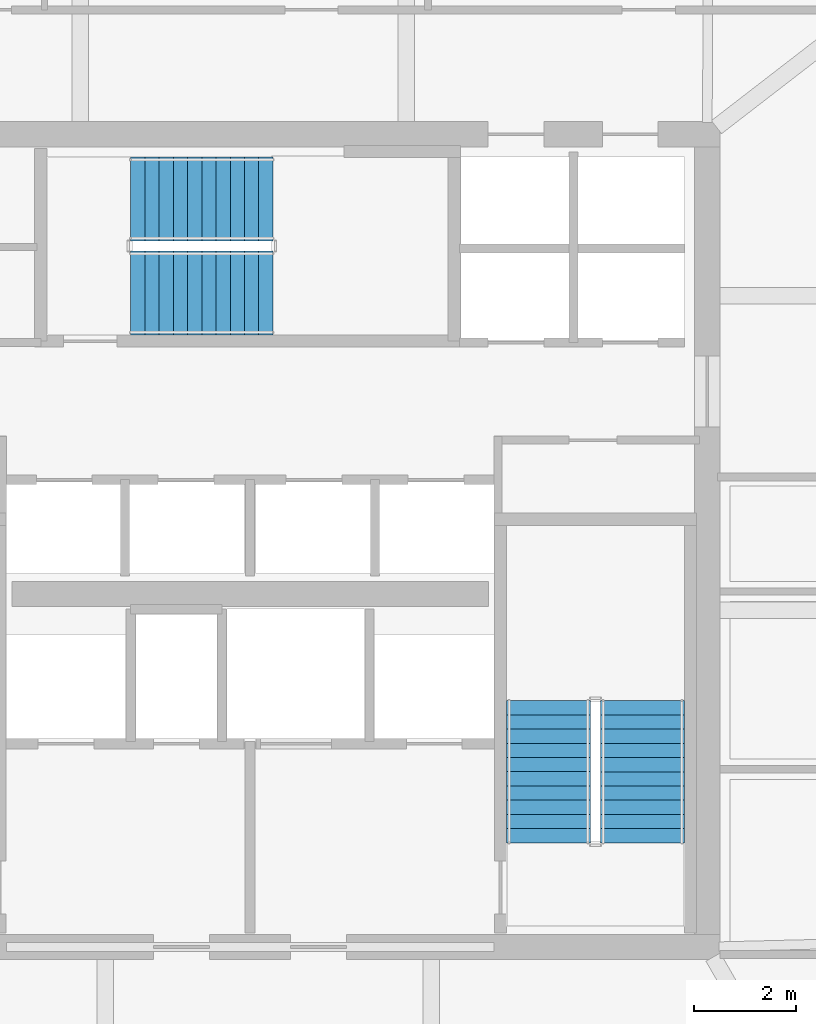
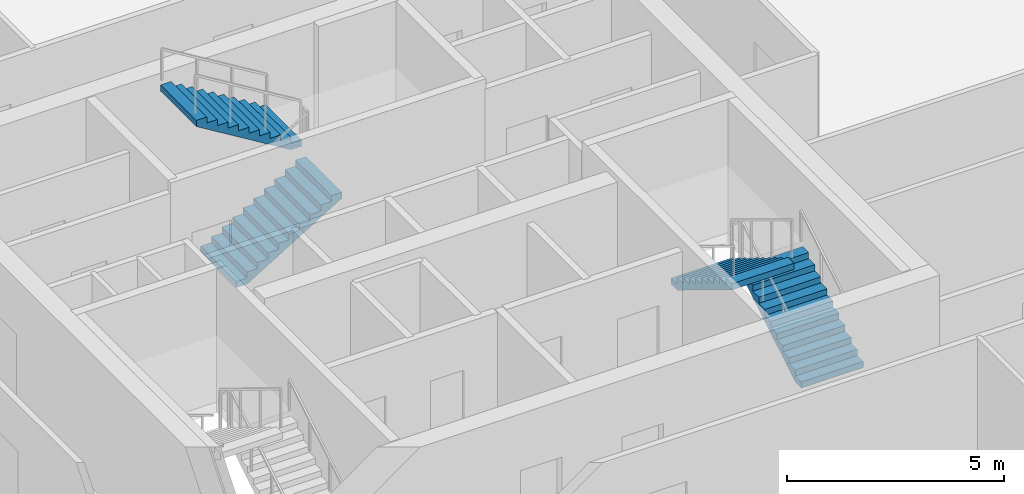
# One storey, part 24 of 29: 4 stair flights, 2 elements without a shape of their own.
"""IFC4 building model written with IfcOpenShell, lengths in metres."""

from ifc_helpers import new_model, si_unit, direction, frame, origin, place, context, subcontext, project, spatial, polyline, outline, extrude, material, type_object, element, aggregate, save


model = new_model("IFC4")

# Units and contexts
model_context = context("Model", 3, precision=1e-05, world=origin(), true_north=direction((0.0, 1.0)))
body_context = subcontext(model_context, "Body", "Model", "MODEL_VIEW")
ifc_project = project(units=[si_unit("LENGTHUNIT", "METRE"), si_unit("AREAUNIT", "SQUARE_METRE"), si_unit("VOLUMEUNIT", "CUBIC_METRE"), si_unit("PLANEANGLEUNIT", "RADIAN"), si_unit("MASSUNIT", "GRAM", prefix="KILO")], contexts=[model_context])

# Site, building, storey
site_placement = place(None, origin())
site = spatial("IfcSite", under=ifc_project, at=site_placement, CompositionType="ELEMENT")
building_placement = place(site_placement, origin())
building = spatial("IfcBuilding", under=site, at=building_placement, Name="Haldenkirk Collegiate Tower", CompositionType="ELEMENT")
storey_placement = place(building_placement, frame((0.0, 0.0, 144.449951171875)))
storey = spatial("IfcBuildingStorey", under=building, at=storey_placement, Name="L35", CompositionType="ELEMENT", Elevation=144.449951171875)

# Stair, stair flights
ifc_material = material(Name="Concrete f'c 40 MPa", Category="concrete")
stair_type = type_object("IfcStairType", Name="STR-DOGLEG-1650", PredefinedType="HALF_TURN_STAIR", material=ifc_material)
stair_1_placement = place(storey_placement, origin())
stair_1 = element("IfcStair", 1, at=stair_1_placement, inside=storey, type_object=stair_type, Name="L35 Core Exit Stair ST-2", PredefinedType="HALF_TURN_STAIR")
stair_flight_type = type_object("IfcStairFlightType", Name="STF-FLIGHT-1650", PredefinedType="STRAIGHT", material=ifc_material)
stair_flight_1_placement = place(storey_placement, frame((43.72509765625, 20.050048828125, 0.0), z_axis=(0.0, 0.0, 1.0), x_axis=(0.0, 1.0, 0.0)))
stair_flight_1 = element("IfcStairFlight", 2, at=stair_flight_1_placement, type_object=stair_flight_type, Name="ST-2 flight 1", NumberOfRisers=11, NumberOfTreads=10, PredefinedType="STRAIGHT", RiserHeight=0.170454545, TreadLength=0.28, context=body_context, shape_type="SweptSolid", body=[
    extrude(outline(polyline([(0.0, 0.0), (0.0, 0.17041015625), (0.280029296875, 0.17041015625), (0.280029296875, 0.3408203125), (0.56005859375, 0.3408203125), (0.56005859375, 0.511474609375), (0.840087890625, 0.511474609375), (0.840087890625, 0.681884765625), (1.1201171875, 0.681884765625), (1.1201171875, 0.852294921875), (1.39990234375, 0.852294921875), (1.39990234375, 1.022705078125), (1.679931640625, 1.022705078125), (1.679931640625, 1.193115234375), (1.9599609375, 1.193115234375), (1.9599609375, 1.363525390625), (2.239990234375, 1.363525390625), (2.239990234375, 1.5341796875), (2.52001953125, 1.5341796875), (2.52001953125, 1.70458984375), (2.800048828125, 1.70458984375), (2.800048828125, 1.875), (2.800048828125, 1.529052734375), (0.288330078125, 0.0), (0.0, 0.0)])), frame((0.0, 0.824951171875, 0.0), z_axis=(0.0, -1.0, 0.0), x_axis=(1.0, 0.0, 0.0)), (0.0, 0.0, 1.0), 1.64990234375),
])
stair_flight_2_placement = place(storey_placement, frame((41.875, 22.85009765625, 1.875), z_axis=(0.0, 0.0, 1.0), x_axis=(0.0, -1.0, 0.0)))
stair_flight_2 = element("IfcStairFlight", 3, at=stair_flight_2_placement, type_object=stair_flight_type, Name="ST-2 flight 2", NumberOfRisers=11, NumberOfTreads=10, PredefinedType="STRAIGHT", RiserHeight=0.170454545, TreadLength=0.28, context=body_context, shape_type="SweptSolid", body=[
    extrude(outline(polyline([(0.0, 0.0), (0.0, 0.17041015625), (0.280029296875, 0.17041015625), (0.280029296875, 0.3408203125), (0.56005859375, 0.3408203125), (0.56005859375, 0.511474609375), (0.840087890625, 0.511474609375), (0.840087890625, 0.681884765625), (1.1201171875, 0.681884765625), (1.1201171875, 0.852294921875), (1.39990234375, 0.852294921875), (1.39990234375, 1.022705078125), (1.679931640625, 1.022705078125), (1.679931640625, 1.193115234375), (1.9599609375, 1.193115234375), (1.9599609375, 1.363525390625), (2.239990234375, 1.363525390625), (2.239990234375, 1.5341796875), (2.52001953125, 1.5341796875), (2.52001953125, 1.70458984375), (2.800048828125, 1.70458984375), (2.800048828125, 1.875), (2.800048828125, 1.529052734375), (0.288330078125, 0.0), (0.0, 0.0)])), frame((0.0, 0.824951171875, 0.0), z_axis=(0.0, -1.0, 0.0), x_axis=(1.0, 0.0, 0.0)), (0.0, 0.0, 1.0), 1.64990234375),
])
aggregate(stair_1, [stair_flight_1, stair_flight_2])

stair_2_placement = place(storey_placement, origin())
stair_2 = element("IfcStair", 4, at=stair_2_placement, inside=storey, type_object=stair_type, Name="L35 Core Exit Stair ST-3", PredefinedType="HALF_TURN_STAIR")
stair_flight_3_placement = place(storey_placement, frame((33.64990234375, 30.875, 0.0), z_axis=(0.0, 0.0, 1.0), x_axis=(1.0, 0.0, 0.0)))
stair_flight_3 = element("IfcStairFlight", 5, at=stair_flight_3_placement, type_object=stair_flight_type, Name="ST-3 flight 1", NumberOfRisers=11, NumberOfTreads=10, PredefinedType="STRAIGHT", RiserHeight=0.170454545, TreadLength=0.28, context=body_context, shape_type="SweptSolid", body=[
    extrude(outline(polyline([(0.0, 0.0), (0.0, 0.17041015625), (0.280029296875, 0.17041015625), (0.280029296875, 0.3408203125), (0.56005859375, 0.3408203125), (0.56005859375, 0.511474609375), (0.840087890625, 0.511474609375), (0.840087890625, 0.681884765625), (1.1201171875, 0.681884765625), (1.1201171875, 0.852294921875), (1.39990234375, 0.852294921875), (1.39990234375, 1.022705078125), (1.679931640625, 1.022705078125), (1.679931640625, 1.193115234375), (1.9599609375, 1.193115234375), (1.9599609375, 1.363525390625), (2.239990234375, 1.363525390625), (2.239990234375, 1.5341796875), (2.52001953125, 1.5341796875), (2.52001953125, 1.70458984375), (2.800048828125, 1.70458984375), (2.800048828125, 1.875), (2.800048828125, 1.529052734375), (0.288330078125, 0.0), (0.0, 0.0)])), frame((0.0, 0.824951171875, 0.0), z_axis=(0.0, -1.0, 0.0), x_axis=(1.0, 0.0, 0.0)), (0.0, 0.0, 1.0), 1.64990234375),
])
stair_flight_4_placement = place(storey_placement, frame((36.449951171875, 32.72509765625, 1.875), z_axis=(0.0, 0.0, 1.0), x_axis=(-1.0, 0.0, 0.0)))
stair_flight_4 = element("IfcStairFlight", 6, at=stair_flight_4_placement, type_object=stair_flight_type, Name="ST-3 flight 2", NumberOfRisers=11, NumberOfTreads=10, PredefinedType="STRAIGHT", RiserHeight=0.170454545, TreadLength=0.28, context=body_context, shape_type="SweptSolid", body=[
    extrude(outline(polyline([(0.0, 0.0), (0.0, 0.17041015625), (0.280029296875, 0.17041015625), (0.280029296875, 0.3408203125), (0.56005859375, 0.3408203125), (0.56005859375, 0.511474609375), (0.840087890625, 0.511474609375), (0.840087890625, 0.681884765625), (1.1201171875, 0.681884765625), (1.1201171875, 0.852294921875), (1.39990234375, 0.852294921875), (1.39990234375, 1.022705078125), (1.679931640625, 1.022705078125), (1.679931640625, 1.193115234375), (1.9599609375, 1.193115234375), (1.9599609375, 1.363525390625), (2.239990234375, 1.363525390625), (2.239990234375, 1.5341796875), (2.52001953125, 1.5341796875), (2.52001953125, 1.70458984375), (2.800048828125, 1.70458984375), (2.800048828125, 1.875), (2.800048828125, 1.529052734375), (0.288330078125, 0.0), (0.0, 0.0)])), frame((0.0, 0.824951171875, 0.0), z_axis=(0.0, -1.0, 0.0), x_axis=(1.0, 0.0, 0.0)), (0.0, 0.0, 1.0), 1.64990234375),
])
aggregate(stair_2, [stair_flight_3, stair_flight_4])

save(model, "model.ifc")
